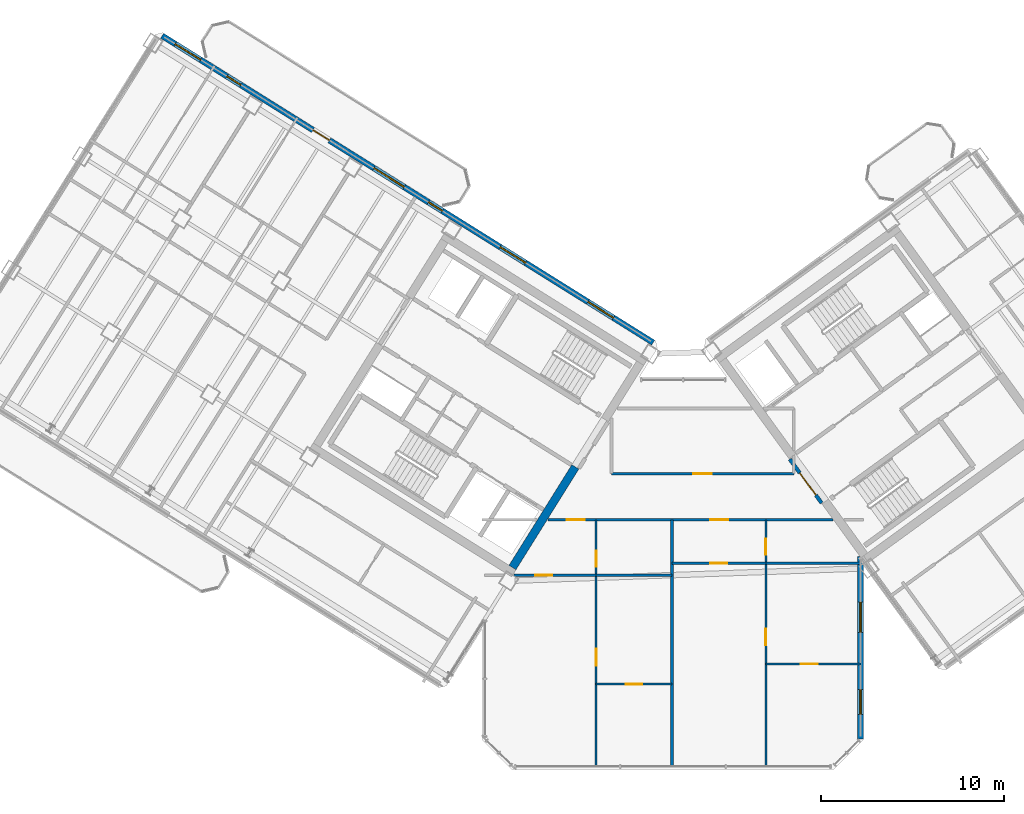
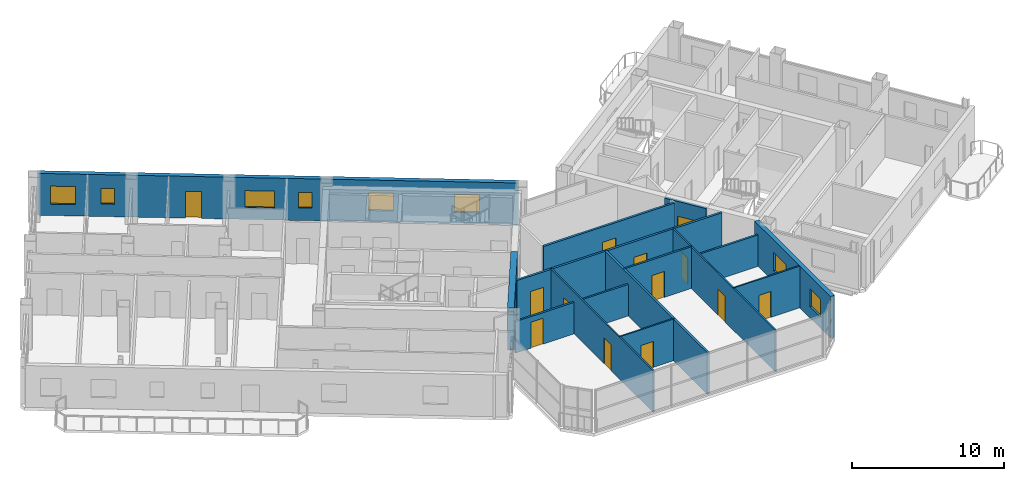
# One storey, part 18 of 29: 15 walls, 13 doors, 8 windows, 21 openings.
"""IFC4 building model written with IfcOpenShell, lengths in metres."""

from ifc_helpers import new_model, si_unit, direction, frame, frame_2d, origin, place, context, subcontext, project, spatial, rectangle, extrude, source, transform, mapped, material, layer, layer_set, type_object, element, fill, save


model = new_model("IFC4")

# Units and contexts
model_context = context("Model", 3, precision=1e-05, world=origin(), true_north=direction((0.0, 1.0)))
body_context = subcontext(model_context, "Body", "Model", "MODEL_VIEW")
ifc_project = project(units=[si_unit("LENGTHUNIT", "METRE"), si_unit("AREAUNIT", "SQUARE_METRE"), si_unit("VOLUMEUNIT", "CUBIC_METRE"), si_unit("PLANEANGLEUNIT", "RADIAN"), si_unit("MASSUNIT", "GRAM", prefix="KILO")], contexts=[model_context])

# Site, building, storey
site_placement = place(None, origin())
site = spatial("IfcSite", under=ifc_project, at=site_placement, CompositionType="ELEMENT")
building_placement = place(site_placement, origin())
building = spatial("IfcBuilding", under=site, at=building_placement, Name="Tlacorven Tower", CompositionType="ELEMENT")
storey_placement = place(building_placement, frame((0.0, 0.0, 238.5)))
storey = spatial("IfcBuildingStorey", under=building, at=storey_placement, Name="L60", CompositionType="ELEMENT", Elevation=238.5)

# Wall
ifc_material_1 = material(Name="Concrete C50/60", Category="concrete")
ifc_layer_1 = layer(ifc_material_1, 0.449951171875)
ifc_layer_set_1 = layer_set([ifc_layer_1], Name="Concrete C50/60")
wall_type_1 = type_object("IfcWallType", Name="WL-COR-450", PredefinedType="SHEAR", material=ifc_layer_set_1)
wall_1_placement = place(storey_placement, frame((36.683349609375, 18.30419921875, 0.0), z_axis=(0.0, 0.0, 1.0), x_axis=(-0.529904039071, -0.848057609704, 0.0)))
element("IfcWall", 1, at=wall_1_placement, inside=storey, type_object=wall_type_1, Name="L60 W core end wall E1.2", PredefinedType="SHEAR", context=body_context, shape_type="SweptSolid", body=[
    extrude(rectangle(XDim=6.47509765625, YDim=0.449951171875, at=frame_2d((3.237548828125, 0.0))), origin(), (0.0, 0.0, 1.0), 3.35009765625),
])

# Wall, openings, doors
ifc_material_2 = material(Name="Gypsum plasterboard acoustic partition", Category="gypsum")
ifc_layer_2 = layer(ifc_material_2, 0.159912109375)
ifc_layer_set_2 = layer_set([ifc_layer_2], Name="Gypsum plasterboard acoustic partition")
wall_type_2 = type_object("IfcWallType", Name="WL-DEM-160", PredefinedType="PARTITIONING", material=ifc_layer_set_2)
wall_2_placement = place(storey_placement, frame((35.178466796875, 15.419921875, 0.0), z_axis=(0.0, 0.0, 1.0), x_axis=(1.0, 0.0, 0.0)))
wall_2 = element("IfcWall", 2, at=wall_2_placement, inside=storey, type_object=wall_type_2, Name="L60 Knuckle Corridor South Wall", PredefinedType="PARTITIONING", context=body_context, shape_type="SweptSolid", body=[
    extrude(rectangle(XDim=15.55224609375, YDim=0.159912109375, at=frame_2d((7.776123046875, 0.0))), origin(), (0.0, 0.0, 1.0), 3.340087890625),
])
opening_1_placement = place(wall_2_placement, frame((1.028076171875, 0.0, 0.0)))
opening_1 = element("IfcOpeningElement", 3, at=opening_1_placement, cuts=wall_2, Name="Opening D11", PredefinedType="OPENING", context=body_context, shape_type="SweptSolid", body=[
    extrude(rectangle(XDim=1.0, YDim=2.10009765625, at=frame_2d((0.5, 1.050048828125))), frame((0.0, 0.08984375, 0.0), z_axis=(0.0, -1.0, 0.0), x_axis=(1.0, 0.0, 0.0)), (0.0, 0.0, 1.0), 0.179931640625),
])
opening_2_placement = place(wall_2_placement, frame((8.857666015625, 0.0, 0.0)))
opening_2 = element("IfcOpeningElement", 4, at=opening_2_placement, cuts=wall_2, Name="Opening D11", PredefinedType="OPENING", context=body_context, shape_type="SweptSolid", body=[
    extrude(rectangle(XDim=1.0, YDim=2.10009765625, at=frame_2d((0.5, 1.050048828125))), frame((0.0, 0.08984375, 0.0), z_axis=(0.0, -1.0, 0.0), x_axis=(1.0, 0.0, 0.0)), (0.0, 0.0, 1.0), 0.179931640625),
])
ifc_material_3 = material(Name="Fire-rated steel door assembly", Category="steel")
door_type_1 = type_object("IfcDoorType", Name="DR-FLT-FD60-1000", OperationType="NOTDEFINED", PredefinedType="DOOR", material=ifc_material_3)
shared_shape_1 = source(origin(), body_context, "Body", "SweptSolid", [
    extrude(rectangle(XDim=1.0, YDim=2.10009765625, at=frame_2d((0.5, 1.050048828125))), frame((0.0, 0.02490234375, 0.0), z_axis=(0.0, -1.0, 0.0), x_axis=(1.0, 0.0, 0.0)), (0.0, 0.0, 1.0), 0.050048828125),
])
door_1_placement = place(opening_1_placement, frame((1.0, 0.0, 0.0), z_axis=(0.0, 0.0, 1.0), x_axis=(-1.0, 0.0, 0.0)))
door_1 = element("IfcDoor", 5, at=door_1_placement, inside=storey, type_object=door_type_1, Name="L60 door 047", OperationType="SINGLE_SWING_RIGHT", OverallHeight=2.10009765625, OverallWidth=1.0, PredefinedType="DOOR", context=body_context, shape_type="MappedRepresentation", body=[
    mapped(shared_shape_1, transform((0.0, 0.0, 0.0), scale=1.0)),
])
fill(opening_1, door_1)
door_2_placement = place(opening_2_placement, frame((1.0, 0.0, 0.0), z_axis=(0.0, 0.0, 1.0), x_axis=(-1.0, 0.0, 0.0)))
door_2 = element("IfcDoor", 6, at=door_2_placement, inside=storey, type_object=door_type_1, Name="L60 door 052", OperationType="SINGLE_SWING_LEFT", OverallHeight=2.10009765625, OverallWidth=1.0, PredefinedType="DOOR", context=body_context, shape_type="MappedRepresentation", body=[
    mapped(shared_shape_1, transform((0.0, 0.0, 0.0), scale=1.0)),
])
fill(opening_2, door_2)

# Wall, opening, door
wall_3_placement = place(storey_placement, frame((38.64990234375, 17.929931640625, 0.0), z_axis=(0.0, 0.0, 1.0), x_axis=(1.0, 0.0, 0.0)))
wall_3 = element("IfcWall", 7, at=wall_3_placement, inside=storey, type_object=wall_type_2, Name="L60 partition 65", PredefinedType="PARTITIONING", context=body_context, shape_type="SweptSolid", body=[
    extrude(rectangle(XDim=9.9501953125, YDim=0.159912109375, at=frame_2d((4.97509765625, 0.0))), origin(), (0.0, 0.0, 1.0), 3.340087890625),
])
opening_3_placement = place(wall_3_placement, frame((4.47509765625, 0.0, 0.0)))
opening_3 = element("IfcOpeningElement", 8, at=opening_3_placement, cuts=wall_3, Name="Opening D11", PredefinedType="OPENING", context=body_context, shape_type="SweptSolid", body=[
    extrude(rectangle(XDim=1.0, YDim=2.10009765625, at=frame_2d((0.5, 1.050048828125))), frame((0.0, 0.08984375, 0.0), z_axis=(0.0, -1.0, 0.0), x_axis=(1.0, 0.0, 0.0)), (0.0, 0.0, 1.0), 0.179931640625),
])
door_3_placement = place(opening_3_placement, origin())
door_3 = element("IfcDoor", 9, at=door_3_placement, inside=storey, type_object=door_type_1, Name="L60 door 042", OperationType="SINGLE_SWING_LEFT", OverallHeight=2.10009765625, OverallWidth=1.0, PredefinedType="DOOR", context=body_context, shape_type="MappedRepresentation", body=[
    mapped(shared_shape_1, transform((0.0, 0.0, 0.0), scale=1.0)),
])
fill(opening_3, door_3)

# Wall
wall_4_placement = place(storey_placement, frame((41.949951171875, 1.9599609375, 0.0), z_axis=(0.0, 0.0, 1.0), x_axis=(0.0, 1.0, 0.0)))
element("IfcWall", 10, at=wall_4_placement, inside=storey, type_object=wall_type_2, Name="L60 Knuckle Demising Wall 1", PredefinedType="PARTITIONING", context=body_context, shape_type="SweptSolid", body=[
    extrude(rectangle(XDim=13.4599609375, YDim=0.159912109375, at=frame_2d((6.72998046875, 0.0))), origin(), (0.0, 0.0, 1.0), 3.340087890625),
])

# Wall, openings, door, windows
ifc_material_4 = material(Name="Precast concrete C45/55", Category="concrete")
ifc_layer_3 = layer(ifc_material_4, 0.320068359375)
ifc_layer_set_3 = layer_set([ifc_layer_3], Name="Precast concrete C45/55")
wall_type_3 = type_object("IfcWallType", Name="WL-EXT-320", PredefinedType="STANDARD", material=ifc_layer_set_3)
wall_5_placement = place(storey_placement, frame((14.13818359375, 41.825439453125, 0.0), z_axis=(0.0, 0.0, 1.0), x_axis=(0.848046498049, -0.529921821731, 0.0)))
wall_5 = element("IfcWall", 11, at=wall_5_placement, inside=storey, type_object=wall_type_3, Name="L60 Masonry-Frame Recessed Facade Wall 3", PredefinedType="STANDARD", context=body_context, shape_type="SweptSolid", body=[
    extrude(rectangle(XDim=31.587646484375, YDim=0.320068359375, at=frame_2d((15.7939453125, 0.0))), origin(), (0.0, 0.0, 1.0), 3.35009765625),
])
opening_4_placement = place(wall_5_placement, frame((9.711669921875, 0.0, 0.0)))
opening_4 = element("IfcOpeningElement", 12, at=opening_4_placement, cuts=wall_5, Name="Opening D06", PredefinedType="OPENING", context=body_context, shape_type="SweptSolid", body=[
    extrude(rectangle(XDim=1.050048828125, YDim=2.14990234375, at=frame_2d((0.52490234375, 1.074951171875))), frame((0.0, 0.169921875, 0.0), z_axis=(0.0, -1.0, 0.0), x_axis=(1.0, 0.0, 0.0)), (0.0, 0.0, 1.0), 0.340087890625),
])
opening_5_placement = place(wall_5_placement, frame((0.84130859375, 0.0, 0.89990234375)))
opening_5 = element("IfcOpeningElement", 13, at=opening_5_placement, cuts=wall_5, Name="Opening WN07", PredefinedType="OPENING", context=body_context, shape_type="SweptSolid", body=[
    extrude(rectangle(XDim=1.64990234375, YDim=1.449951171875, at=frame_2d((0.824951171875, 0.72509765625))), frame((0.0, 0.169921875, 0.0), z_axis=(0.0, -1.0, 0.0), x_axis=(1.0, 0.0, 0.0)), (0.0, 0.0, 1.0), 0.340087890625),
])
opening_6_placement = place(wall_5_placement, frame((4.171142578125, 0.0, 1.0)))
opening_6 = element("IfcOpeningElement", 14, at=opening_6_placement, cuts=wall_5, Name="Opening WN05", PredefinedType="OPENING", context=body_context, shape_type="SweptSolid", body=[
    extrude(rectangle(XDim=0.89990234375, YDim=1.25, at=frame_2d((0.449951171875, 0.625))), frame((0.0, 0.169921875, 0.0), z_axis=(0.0, -1.0, 0.0), x_axis=(1.0, 0.0, 0.0)), (0.0, 0.0, 1.0), 0.340087890625),
])
opening_7_placement = place(wall_5_placement, frame((13.623779296875, 0.0, 0.949951171875)))
opening_7 = element("IfcOpeningElement", 15, at=opening_7_placement, cuts=wall_5, Name="Opening WN09", PredefinedType="OPENING", context=body_context, shape_type="SweptSolid", body=[
    extrude(rectangle(XDim=1.949951171875, YDim=1.35009765625, at=frame_2d((0.97509765625, 0.675048828125))), frame((0.0, 0.169921875, 0.0), z_axis=(0.0, -1.0, 0.0), x_axis=(1.0, 0.0, 0.0)), (0.0, 0.0, 1.0), 0.340087890625),
])
opening_8_placement = place(wall_5_placement, frame((17.128662109375, 0.0, 1.0)))
opening_8 = element("IfcOpeningElement", 16, at=opening_8_placement, cuts=wall_5, Name="Opening WN05", PredefinedType="OPENING", context=body_context, shape_type="SweptSolid", body=[
    extrude(rectangle(XDim=0.89990234375, YDim=1.25, at=frame_2d((0.449951171875, 0.625))), frame((0.0, 0.169921875, 0.0), z_axis=(0.0, -1.0, 0.0), x_axis=(1.0, 0.0, 0.0)), (0.0, 0.0, 1.0), 0.340087890625),
])
opening_9_placement = place(wall_5_placement, frame((21.74365234375, 0.0, 0.89990234375)))
opening_9 = element("IfcOpeningElement", 17, at=opening_9_placement, cuts=wall_5, Name="Opening WN07", PredefinedType="OPENING", context=body_context, shape_type="SweptSolid", body=[
    extrude(rectangle(XDim=1.64990234375, YDim=1.449951171875, at=frame_2d((0.824951171875, 0.72509765625))), frame((0.0, 0.169921875, 0.0), z_axis=(0.0, -1.0, 0.0), x_axis=(1.0, 0.0, 0.0)), (0.0, 0.0, 1.0), 0.340087890625),
])
opening_10_placement = place(wall_5_placement, frame((27.393798828125, 0.0, 0.89990234375)))
opening_10 = element("IfcOpeningElement", 18, at=opening_10_placement, cuts=wall_5, Name="Opening WN07", PredefinedType="OPENING", context=body_context, shape_type="SweptSolid", body=[
    extrude(rectangle(XDim=1.64990234375, YDim=1.449951171875, at=frame_2d((0.824951171875, 0.72509765625))), frame((0.0, 0.169921875, 0.0), z_axis=(0.0, -1.0, 0.0), x_axis=(1.0, 0.0, 0.0)), (0.0, 0.0, 1.0), 0.340087890625),
])
ifc_material_5 = material(Name="Powder-coated aluminium and timber door", Category="wood")
door_type_2 = type_object("IfcDoorType", Name="DR-EXT-BALC-1050", OperationType="NOTDEFINED", PredefinedType="DOOR", material=ifc_material_5)
shared_shape_2 = source(origin(), body_context, "Body", "SweptSolid", [
    extrude(rectangle(XDim=1.050048828125, YDim=2.14990234375, at=frame_2d((0.52490234375, 1.074951171875))), frame((0.0, 0.02490234375, 0.0), z_axis=(0.0, -1.0, 0.0), x_axis=(1.0, 0.0, 0.0)), (0.0, 0.0, 1.0), 0.050048828125),
])
door_4_placement = place(opening_4_placement, origin())
door_4 = element("IfcDoor", 19, at=door_4_placement, inside=storey, type_object=door_type_2, Name="L60 Outdoor Access Door BAL-L60-W-IN", OperationType="SINGLE_SWING_RIGHT", OverallHeight=2.14990234375, OverallWidth=1.050048828125, PredefinedType="DOOR", context=body_context, shape_type="MappedRepresentation", body=[
    mapped(shared_shape_2, transform((0.0, 0.0, 0.0), scale=1.0)),
])
fill(opening_4, door_4)
ifc_material_6 = material(Name="Dark solar low-E double glazing in anodised aluminium frame", Category="aluminium")
window_type_1 = type_object("IfcWindowType", Name="WN-APT-0900X1350", PartitioningType="SINGLE_PANEL", PredefinedType="WINDOW", material=ifc_material_6)
shared_shape_3 = source(origin(), body_context, "Body", "SweptSolid", [
    extrude(rectangle(XDim=0.89990234375, YDim=1.25, at=frame_2d((0.449951171875, 0.625))), frame((0.0, 0.030029296875, 0.0), z_axis=(0.0, -1.0, 0.0), x_axis=(1.0, 0.0, 0.0)), (0.0, 0.0, 1.0), 0.06005859375),
])
window_1_placement = place(opening_6_placement, origin())
window_1 = element("IfcWindow", 20, at=window_1_placement, inside=storey, type_object=window_type_1, Name="L60 Recessed Masonry-Frame Window L60-03.2", OverallHeight=1.25, OverallWidth=0.89990234375, PartitioningType="SINGLE_PANEL", PredefinedType="WINDOW", context=body_context, shape_type="MappedRepresentation", body=[
    mapped(shared_shape_3, transform((0.0, 0.0, 0.0), scale=1.0)),
])
fill(opening_6, window_1)
window_2_placement = place(opening_8_placement, origin())
window_2 = element("IfcWindow", 21, at=window_2_placement, inside=storey, type_object=window_type_1, Name="L60 Recessed Masonry-Frame Window L60-03.4", OverallHeight=1.25, OverallWidth=0.89990234375, PartitioningType="SINGLE_PANEL", PredefinedType="WINDOW", context=body_context, shape_type="MappedRepresentation", body=[
    mapped(shared_shape_3, transform((0.0, 0.0, 0.0), scale=1.0)),
])
fill(opening_8, window_2)
window_type_2 = type_object("IfcWindowType", Name="WN-APT-1650X1600", PartitioningType="SINGLE_PANEL", PredefinedType="WINDOW", material=ifc_material_6)
shared_shape_4 = source(origin(), body_context, "Body", "SweptSolid", [
    extrude(rectangle(XDim=1.64990234375, YDim=1.449951171875, at=frame_2d((0.824951171875, 0.72509765625))), frame((0.0, 0.030029296875, 0.0), z_axis=(0.0, -1.0, 0.0), x_axis=(1.0, 0.0, 0.0)), (0.0, 0.0, 1.0), 0.06005859375),
])
window_3_placement = place(opening_5_placement, origin())
window_3 = element("IfcWindow", 22, at=window_3_placement, inside=storey, type_object=window_type_2, Name="L60 Recessed Masonry-Frame Window L60-03.1", OverallHeight=1.449951171875, OverallWidth=1.64990234375, PartitioningType="SINGLE_PANEL", PredefinedType="WINDOW", context=body_context, shape_type="MappedRepresentation", body=[
    mapped(shared_shape_4, transform((0.0, 0.0, 0.0), scale=1.0)),
])
fill(opening_5, window_3)
window_4_placement = place(opening_9_placement, origin())
window_4 = element("IfcWindow", 23, at=window_4_placement, inside=storey, type_object=window_type_2, Name="L60 Recessed Masonry-Frame Window L60-03.5", OverallHeight=1.449951171875, OverallWidth=1.64990234375, PartitioningType="SINGLE_PANEL", PredefinedType="WINDOW", context=body_context, shape_type="MappedRepresentation", body=[
    mapped(shared_shape_4, transform((0.0, 0.0, 0.0), scale=1.0)),
])
fill(opening_9, window_4)
window_5_placement = place(opening_10_placement, origin())
window_5 = element("IfcWindow", 24, at=window_5_placement, inside=storey, type_object=window_type_2, Name="L60 Recessed Masonry-Frame Window L60-03.6", OverallHeight=1.449951171875, OverallWidth=1.64990234375, PartitioningType="SINGLE_PANEL", PredefinedType="WINDOW", context=body_context, shape_type="MappedRepresentation", body=[
    mapped(shared_shape_4, transform((0.0, 0.0, 0.0), scale=1.0)),
])
fill(opening_10, window_5)
window_type_3 = type_object("IfcWindowType", Name="WN-GAL-1950X1450", PartitioningType="SINGLE_PANEL", PredefinedType="WINDOW", material=ifc_material_6)
shared_shape_5 = source(origin(), body_context, "Body", "SweptSolid", [
    extrude(rectangle(XDim=1.949951171875, YDim=1.35009765625, at=frame_2d((0.97509765625, 0.675048828125))), frame((0.0, 0.030029296875, 0.0), z_axis=(0.0, -1.0, 0.0), x_axis=(1.0, 0.0, 0.0)), (0.0, 0.0, 1.0), 0.06005859375),
])
window_6_placement = place(opening_7_placement, origin())
window_6 = element("IfcWindow", 25, at=window_6_placement, inside=storey, type_object=window_type_3, Name="L60 Recessed Masonry-Frame Window L60-03.3", OverallHeight=1.35009765625, OverallWidth=1.949951171875, PartitioningType="SINGLE_PANEL", PredefinedType="WINDOW", context=body_context, shape_type="MappedRepresentation", body=[
    mapped(shared_shape_5, transform((0.0, 0.0, 0.0), scale=1.0)),
])
fill(opening_7, window_6)

# Wall, openings, windows
wall_6_placement = place(storey_placement, frame((52.239990234375, 13.4140625, 0.0), z_axis=(0.0, 0.0, 1.0), x_axis=(0.0, -1.0, 0.0)))
wall_6 = element("IfcWall", 26, at=wall_6_placement, inside=storey, type_object=wall_type_3, Name="L60 Masonry-Frame Recessed Facade Wall 8", PredefinedType="STANDARD", context=body_context, shape_type="SweptSolid", body=[
    extrude(rectangle(XDim=9.94775390625, YDim=0.320068359375, at=frame_2d((4.973876953125, 0.0))), origin(), (0.0, 0.0, 1.0), 3.35009765625),
])
opening_11_placement = place(wall_6_placement, frame((2.492431640625, 0.0, 0.89990234375)))
opening_11 = element("IfcOpeningElement", 27, at=opening_11_placement, cuts=wall_6, Name="Opening WN07", PredefinedType="OPENING", context=body_context, shape_type="SweptSolid", body=[
    extrude(rectangle(XDim=1.64990234375, YDim=1.449951171875, at=frame_2d((0.824951171875, 0.72509765625))), frame((0.0, 0.169921875, 0.0), z_axis=(0.0, -1.0, 0.0), x_axis=(1.0, 0.0, 0.0)), (0.0, 0.0, 1.0), 0.340087890625),
])
opening_12_placement = place(wall_6_placement, frame((7.25830078125, 0.0, 0.89990234375)))
opening_12 = element("IfcOpeningElement", 28, at=opening_12_placement, cuts=wall_6, Name="Opening WN08", PredefinedType="OPENING", context=body_context, shape_type="SweptSolid", body=[
    extrude(rectangle(XDim=1.35009765625, YDim=1.449951171875, at=frame_2d((0.675048828125, 0.72509765625))), frame((0.0, 0.169921875, 0.0), z_axis=(0.0, -1.0, 0.0), x_axis=(1.0, 0.0, 0.0)), (0.0, 0.0, 1.0), 0.340087890625),
])
window_7_placement = place(opening_11_placement, origin())
window_7 = element("IfcWindow", 29, at=window_7_placement, inside=storey, type_object=window_type_2, Name="L60 Recessed Masonry-Frame Window L60-08.1", OverallHeight=1.449951171875, OverallWidth=1.64990234375, PartitioningType="SINGLE_PANEL", PredefinedType="WINDOW", context=body_context, shape_type="MappedRepresentation", body=[
    mapped(shared_shape_4, transform((0.0, 0.0, 0.0), scale=1.0)),
])
fill(opening_11, window_7)
window_type_4 = type_object("IfcWindowType", Name="WN-APT-1350X1550", PartitioningType="SINGLE_PANEL", PredefinedType="WINDOW", material=ifc_material_6)
shared_shape_6 = source(origin(), body_context, "Body", "SweptSolid", [
    extrude(rectangle(XDim=1.35009765625, YDim=1.449951171875, at=frame_2d((0.675048828125, 0.72509765625))), frame((0.0, 0.030029296875, 0.0), z_axis=(0.0, -1.0, 0.0), x_axis=(1.0, 0.0, 0.0)), (0.0, 0.0, 1.0), 0.06005859375),
])
window_8_placement = place(opening_12_placement, origin())
window_8 = element("IfcWindow", 30, at=window_8_placement, inside=storey, type_object=window_type_4, Name="L60 Recessed Masonry-Frame Window L60-08.2", OverallHeight=1.449951171875, OverallWidth=1.35009765625, PartitioningType="SINGLE_PANEL", PredefinedType="WINDOW", context=body_context, shape_type="MappedRepresentation", body=[
    mapped(shared_shape_6, transform((0.0, 0.0, 0.0), scale=1.0)),
])
fill(opening_12, window_8)

# Wall, openings, doors
ifc_material_7 = material(Name="Gypsum plasterboard partition", Category="gypsum")
ifc_layer_4 = layer(ifc_material_7, 0.110107421875)
ifc_layer_set_4 = layer_set([ifc_layer_4], Name="Gypsum plasterboard partition")
wall_type_4 = type_object("IfcWallType", Name="WL-INT-110", PredefinedType="PARTITIONING", material=ifc_layer_set_4)
wall_7_placement = place(storey_placement, frame((37.81298828125, 1.9599609375, 0.0), z_axis=(0.0, 0.0, 1.0), x_axis=(0.0, 1.0, 0.0)))
wall_7 = element("IfcWall", 31, at=wall_7_placement, inside=storey, type_object=wall_type_4, Name="L60 partition 71", PredefinedType="PARTITIONING", context=body_context, shape_type="SweptSolid", body=[
    extrude(rectangle(XDim=13.4599609375, YDim=0.110107421875, at=frame_2d((6.72998046875, 0.0))), origin(), (0.0, 0.0, 1.0), 3.340087890625),
])
opening_13_placement = place(wall_7_placement, frame((5.5, 0.0, 0.0)))
opening_13 = element("IfcOpeningElement", 32, at=opening_13_placement, cuts=wall_7, Name="Opening D12", PredefinedType="OPENING", context=body_context, shape_type="SweptSolid", body=[
    extrude(rectangle(XDim=0.919921875, YDim=2.080078125, at=frame_2d((0.4599609375, 1.0400390625))), frame((0.0, 0.06494140625, 0.0), z_axis=(0.0, -1.0, 0.0), x_axis=(1.0, 0.0, 0.0)), (0.0, 0.0, 1.0), 0.130126953125),
])
opening_14_placement = place(wall_7_placement, frame((10.889892578125, 0.0, 0.0)))
opening_14 = element("IfcOpeningElement", 33, at=opening_14_placement, cuts=wall_7, Name="Opening D13", PredefinedType="OPENING", context=body_context, shape_type="SweptSolid", body=[
    extrude(rectangle(XDim=0.8798828125, YDim=2.080078125, at=frame_2d((0.43994140625, 1.0400390625))), frame((0.0, 0.06494140625, 0.0), z_axis=(0.0, -1.0, 0.0), x_axis=(1.0, 0.0, 0.0)), (0.0, 0.0, 1.0), 0.130126953125),
])
door_type_3 = type_object("IfcDoorType", Name="DR-INT-WET-0880", OperationType="NOTDEFINED", PredefinedType="DOOR", material=ifc_material_5)
shared_shape_7 = source(origin(), body_context, "Body", "SweptSolid", [
    extrude(rectangle(XDim=0.8798828125, YDim=2.080078125, at=frame_2d((0.43994140625, 1.0400390625))), frame((0.0, 0.02490234375, 0.0), z_axis=(0.0, -1.0, 0.0), x_axis=(1.0, 0.0, 0.0)), (0.0, 0.0, 1.0), 0.050048828125),
])
door_5_placement = place(opening_14_placement, origin())
door_5 = element("IfcDoor", 34, at=door_5_placement, inside=storey, type_object=door_type_3, Name="L60 door 049", OperationType="SINGLE_SWING_RIGHT", OverallHeight=2.080078125, OverallWidth=0.8798828125, PredefinedType="DOOR", context=body_context, shape_type="MappedRepresentation", body=[
    mapped(shared_shape_7, transform((0.0, 0.0, 0.0), scale=1.0)),
])
fill(opening_14, door_5)
door_type_4 = type_object("IfcDoorType", Name="DR-INT-ROOM-0920", OperationType="NOTDEFINED", PredefinedType="DOOR", material=ifc_material_5)
shared_shape_8 = source(origin(), body_context, "Body", "SweptSolid", [
    extrude(rectangle(XDim=0.919921875, YDim=2.080078125, at=frame_2d((0.4599609375, 1.0400390625))), frame((0.0, 0.02490234375, 0.0), z_axis=(0.0, -1.0, 0.0), x_axis=(1.0, 0.0, 0.0)), (0.0, 0.0, 1.0), 0.050048828125),
])
door_6_placement = place(opening_13_placement, origin())
door_6 = element("IfcDoor", 35, at=door_6_placement, inside=storey, type_object=door_type_4, Name="L60 door 045", OperationType="SINGLE_SWING_RIGHT", OverallHeight=2.080078125, OverallWidth=0.919921875, PredefinedType="DOOR", context=body_context, shape_type="MappedRepresentation", body=[
    mapped(shared_shape_8, transform((0.0, 0.0, 0.0), scale=1.0)),
])
fill(opening_13, door_6)

# Wall, opening, door
wall_8_placement = place(storey_placement, frame((37.81298828125, 6.449951171875, 0.0), z_axis=(0.0, 0.0, 1.0), x_axis=(1.0, 0.0, 0.0)))
wall_8 = element("IfcWall", 36, at=wall_8_placement, inside=storey, type_object=wall_type_4, Name="L60 partition 74", PredefinedType="PARTITIONING", context=body_context, shape_type="SweptSolid", body=[
    extrude(rectangle(XDim=4.136962890625, YDim=0.110107421875, at=frame_2d((2.068359375, 0.0))), origin(), (0.0, 0.0, 1.0), 3.340087890625),
])
opening_15_placement = place(wall_8_placement, frame((1.6083984375, 0.0, 0.0)))
opening_15 = element("IfcOpeningElement", 37, at=opening_15_placement, cuts=wall_8, Name="Opening D12", PredefinedType="OPENING", context=body_context, shape_type="SweptSolid", body=[
    extrude(rectangle(XDim=0.919921875, YDim=2.080078125, at=frame_2d((0.4599609375, 1.0400390625))), frame((0.0, 0.06494140625, 0.0), z_axis=(0.0, -1.0, 0.0), x_axis=(1.0, 0.0, 0.0)), (0.0, 0.0, 1.0), 0.130126953125),
])
door_7_placement = place(opening_15_placement, origin())
door_7 = element("IfcDoor", 38, at=door_7_placement, inside=storey, type_object=door_type_4, Name="L60 door 046", OperationType="SINGLE_SWING_LEFT", OverallHeight=2.080078125, OverallWidth=0.919921875, PredefinedType="DOOR", context=body_context, shape_type="MappedRepresentation", body=[
    mapped(shared_shape_8, transform((0.0, 0.0, 0.0), scale=1.0)),
])
fill(opening_15, door_7)

# Wall, openings, doors
wall_9_placement = place(storey_placement, frame((47.072021484375, 1.9599609375, 0.0), z_axis=(0.0, 0.0, 1.0), x_axis=(0.0, 1.0, 0.0)))
wall_9 = element("IfcWall", 39, at=wall_9_placement, inside=storey, type_object=wall_type_4, Name="L60 partition 75", PredefinedType="PARTITIONING", context=body_context, shape_type="SweptSolid", body=[
    extrude(rectangle(XDim=13.4599609375, YDim=0.110107421875, at=frame_2d((6.72998046875, 0.0))), origin(), (0.0, 0.0, 1.0), 3.340087890625),
])
opening_16_placement = place(wall_9_placement, frame((6.60009765625, 0.0, 0.0)))
opening_16 = element("IfcOpeningElement", 40, at=opening_16_placement, cuts=wall_9, Name="Opening D12", PredefinedType="OPENING", context=body_context, shape_type="SweptSolid", body=[
    extrude(rectangle(XDim=0.919921875, YDim=2.080078125, at=frame_2d((0.4599609375, 1.0400390625))), frame((0.0, 0.06494140625, 0.0), z_axis=(0.0, -1.0, 0.0), x_axis=(1.0, 0.0, 0.0)), (0.0, 0.0, 1.0), 0.130126953125),
])
opening_17_placement = place(wall_9_placement, frame((11.5400390625, 0.0, 0.0)))
opening_17 = element("IfcOpeningElement", 41, at=opening_17_placement, cuts=wall_9, Name="Opening D13", PredefinedType="OPENING", context=body_context, shape_type="SweptSolid", body=[
    extrude(rectangle(XDim=0.8798828125, YDim=2.080078125, at=frame_2d((0.43994140625, 1.0400390625))), frame((0.0, 0.06494140625, 0.0), z_axis=(0.0, -1.0, 0.0), x_axis=(1.0, 0.0, 0.0)), (0.0, 0.0, 1.0), 0.130126953125),
])
door_8_placement = place(opening_17_placement, origin())
door_8 = element("IfcDoor", 42, at=door_8_placement, inside=storey, type_object=door_type_3, Name="L60 door 054", OperationType="SINGLE_SWING_LEFT", OverallHeight=2.080078125, OverallWidth=0.8798828125, PredefinedType="DOOR", context=body_context, shape_type="MappedRepresentation", body=[
    mapped(shared_shape_7, transform((0.0, 0.0, 0.0), scale=1.0)),
])
fill(opening_17, door_8)
door_9_placement = place(opening_16_placement, origin())
door_9 = element("IfcDoor", 43, at=door_9_placement, inside=storey, type_object=door_type_4, Name="L60 door 050", OperationType="SINGLE_SWING_LEFT", OverallHeight=2.080078125, OverallWidth=0.919921875, PredefinedType="DOOR", context=body_context, shape_type="MappedRepresentation", body=[
    mapped(shared_shape_8, transform((0.0, 0.0, 0.0), scale=1.0)),
])
fill(opening_16, door_9)

# Wall, opening, door
wall_10_placement = place(storey_placement, frame((47.072021484375, 7.550048828125, 0.0), z_axis=(0.0, 0.0, 1.0), x_axis=(1.0, 0.0, 0.0)))
wall_10 = element("IfcWall", 44, at=wall_10_placement, inside=storey, type_object=wall_type_4, Name="L60 partition 78", PredefinedType="PARTITIONING", context=body_context, shape_type="SweptSolid", body=[
    extrude(rectangle(XDim=5.18798828125, YDim=0.110107421875, at=frame_2d((2.593994140625, 0.0))), origin(), (0.0, 0.0, 1.0), 3.340087890625),
])
opening_18_placement = place(wall_10_placement, frame((1.904052734375, 0.0, 0.0)))
opening_18 = element("IfcOpeningElement", 45, at=opening_18_placement, cuts=wall_10, Name="Opening D12", PredefinedType="OPENING", context=body_context, shape_type="SweptSolid", body=[
    extrude(rectangle(XDim=0.919921875, YDim=2.080078125, at=frame_2d((0.4599609375, 1.0400390625))), frame((0.0, 0.06494140625, 0.0), z_axis=(0.0, -1.0, 0.0), x_axis=(1.0, 0.0, 0.0)), (0.0, 0.0, 1.0), 0.130126953125),
])
door_10_placement = place(opening_18_placement, origin())
door_10 = element("IfcDoor", 46, at=door_10_placement, inside=storey, type_object=door_type_4, Name="L60 door 051", OperationType="SINGLE_SWING_RIGHT", OverallHeight=2.080078125, OverallWidth=0.919921875, PredefinedType="DOOR", context=body_context, shape_type="MappedRepresentation", body=[
    mapped(shared_shape_8, transform((0.0, 0.0, 0.0), scale=1.0)),
])
fill(opening_18, door_10)

ifc_material_8 = material(Name="Moisture-resistant gypsum plumbing wall", Category="gypsum")
ifc_layer_5 = layer(ifc_material_8, 0.139892578125)
ifc_layer_set_5 = layer_set([ifc_layer_5], Name="Moisture-resistant gypsum plumbing wall")
wall_type_5 = type_object("IfcWallType", Name="WL-PLM-140", PredefinedType="PLUMBINGWALL", material=ifc_layer_set_5)
wall_11_placement = place(storey_placement, frame((33.338623046875, 12.389892578125, 0.0), z_axis=(0.0, 0.0, 1.0), x_axis=(1.0, 0.0, 0.0)))
wall_11 = element("IfcWall", 47, at=wall_11_placement, inside=storey, type_object=wall_type_5, Name="L60 partition 72", PredefinedType="PLUMBINGWALL", context=body_context, shape_type="SweptSolid", body=[
    extrude(rectangle(XDim=4.474365234375, YDim=0.139892578125, at=frame_2d((2.2373046875, 0.0))), origin(), (0.0, 0.0, 1.0), 2.52490234375),
])
opening_19_placement = place(wall_11_placement, frame((1.157958984375, 0.0, 0.0)))
opening_19 = element("IfcOpeningElement", 48, at=opening_19_placement, cuts=wall_11, Name="Opening D12", PredefinedType="OPENING", context=body_context, shape_type="SweptSolid", body=[
    extrude(rectangle(XDim=0.919921875, YDim=2.080078125, at=frame_2d((0.4599609375, 1.0400390625))), frame((0.0, 0.080078125, 0.0), z_axis=(0.0, -1.0, 0.0), x_axis=(1.0, 0.0, 0.0)), (0.0, 0.0, 1.0), 0.159912109375),
])
door_11_placement = place(opening_19_placement, frame((0.919921875, 0.0, 0.0), z_axis=(0.0, 0.0, 1.0), x_axis=(-1.0, 0.0, 0.0)))
door_11 = element("IfcDoor", 49, at=door_11_placement, inside=storey, type_object=door_type_4, Name="L60 door 048", OperationType="SINGLE_SWING_RIGHT", OverallHeight=2.080078125, OverallWidth=0.919921875, PredefinedType="DOOR", context=body_context, shape_type="MappedRepresentation", body=[
    mapped(shared_shape_8, transform((0.0, 0.0, 0.0), scale=1.0)),
])
fill(opening_19, door_11)

# Wall
wall_12_placement = place(storey_placement, frame((37.81298828125, 12.389892578125, 0.0), z_axis=(0.0, 0.0, 1.0), x_axis=(1.0, 0.0, 0.0)))
element("IfcWall", 50, at=wall_12_placement, inside=storey, type_object=wall_type_5, Name="L60 partition 73", PredefinedType="PLUMBINGWALL", context=body_context, shape_type="SweptSolid", body=[
    extrude(rectangle(XDim=4.136962890625, YDim=0.139892578125, at=frame_2d((2.068359375, 0.0))), origin(), (0.0, 0.0, 1.0), 2.52490234375),
])

# Wall, opening, door
wall_13_placement = place(storey_placement, frame((41.949951171875, 13.0400390625, 0.0), z_axis=(0.0, 0.0, 1.0), x_axis=(1.0, 0.0, 0.0)))
wall_13 = element("IfcWall", 51, at=wall_13_placement, inside=storey, type_object=wall_type_5, Name="L60 partition 76", PredefinedType="PLUMBINGWALL", context=body_context, shape_type="SweptSolid", body=[
    extrude(rectangle(XDim=5.1220703125, YDim=0.139892578125, at=frame_2d((2.56103515625, 0.0))), origin(), (0.0, 0.0, 1.0), 3.340087890625),
])
opening_20_placement = place(wall_13_placement, frame((2.10107421875, 0.0, 0.0)))
opening_20 = element("IfcOpeningElement", 52, at=opening_20_placement, cuts=wall_13, Name="Opening D12", PredefinedType="OPENING", context=body_context, shape_type="SweptSolid", body=[
    extrude(rectangle(XDim=0.919921875, YDim=2.080078125, at=frame_2d((0.4599609375, 1.0400390625))), frame((0.0, 0.080078125, 0.0), z_axis=(0.0, -1.0, 0.0), x_axis=(1.0, 0.0, 0.0)), (0.0, 0.0, 1.0), 0.159912109375),
])
door_12_placement = place(opening_20_placement, frame((0.919921875, 0.0, 0.0), z_axis=(0.0, 0.0, 1.0), x_axis=(-1.0, 0.0, 0.0)))
door_12 = element("IfcDoor", 53, at=door_12_placement, inside=storey, type_object=door_type_4, Name="L60 door 053", OperationType="SINGLE_SWING_RIGHT", OverallHeight=2.080078125, OverallWidth=0.919921875, PredefinedType="DOOR", context=body_context, shape_type="MappedRepresentation", body=[
    mapped(shared_shape_8, transform((0.0, 0.0, 0.0), scale=1.0)),
])
fill(opening_20, door_12)

# Wall
wall_14_placement = place(storey_placement, frame((47.072021484375, 13.0400390625, 0.0), z_axis=(0.0, 0.0, 1.0), x_axis=(1.0, 0.0, 0.0)))
element("IfcWall", 54, at=wall_14_placement, inside=storey, type_object=wall_type_5, Name="L60 partition 77", PredefinedType="PLUMBINGWALL", context=body_context, shape_type="SweptSolid", body=[
    extrude(rectangle(XDim=5.18798828125, YDim=0.139892578125, at=frame_2d((2.593994140625, 0.0))), origin(), (0.0, 0.0, 1.0), 2.52490234375),
])

# Wall, opening, door
ifc_material_9 = material(Name="Concrete C40/50", Category="concrete")
ifc_layer_6 = layer(ifc_material_9, 0.199951171875)
ifc_layer_set_6 = layer_set([ifc_layer_6], Name="Concrete C40/50")
wall_type_6 = type_object("IfcWallType", Name="WL-SHF-200", PredefinedType="STANDARD", material=ifc_layer_set_6)
wall_15_placement = place(storey_placement, frame((50.119140625, 16.3330078125, 0.0), z_axis=(0.0, 0.0, 1.0), x_axis=(-0.587749856981, 0.809042709391, 0.0)))
wall_15 = element("IfcWall", 55, at=wall_15_placement, inside=storey, type_object=wall_type_6, Name="L60 partition 69", PredefinedType="STANDARD", context=body_context, shape_type="SweptSolid", body=[
    extrude(rectangle(XDim=2.9599609375, YDim=0.199951171875, at=frame_2d((1.47998046875, 0.0))), origin(), (0.0, 0.0, 1.0), 3.340087890625),
])
opening_21_placement = place(wall_15_placement, frame((0.530029296875, 0.0, 0.0)))
opening_21 = element("IfcOpeningElement", 56, at=opening_21_placement, cuts=wall_15, Name="Opening D10", PredefinedType="OPENING", context=body_context, shape_type="SweptSolid", body=[
    extrude(rectangle(XDim=1.5, YDim=2.14990234375, at=frame_2d((0.75, 1.074951171875))), frame((0.0, 0.10986328125, 0.0), z_axis=(0.0, -1.0, 0.0), x_axis=(1.0, 0.0, 0.0)), (0.0, 0.0, 1.0), 0.219970703125),
])
door_type_5 = type_object("IfcDoorType", Name="DR-LOB-FD60-1500", OperationType="DOUBLE_DOOR_SINGLE_SWING", PredefinedType="DOOR", material=ifc_material_3)
shared_shape_9 = source(origin(), body_context, "Body", "SweptSolid", [
    extrude(rectangle(XDim=1.5, YDim=2.14990234375, at=frame_2d((0.75, 1.074951171875))), frame((0.0, 0.02490234375, 0.0), z_axis=(0.0, -1.0, 0.0), x_axis=(1.0, 0.0, 0.0)), (0.0, 0.0, 1.0), 0.050048828125),
])
door_13_placement = place(opening_21_placement, frame((1.5, 0.0, 0.0), z_axis=(0.0, 0.0, 1.0), x_axis=(-1.0, 0.0, 0.0)))
door_13 = element("IfcDoor", 57, at=door_13_placement, inside=storey, type_object=door_type_5, Name="L60 door 044", OperationType="DOUBLE_DOOR_SINGLE_SWING", OverallHeight=2.14990234375, OverallWidth=1.5, PredefinedType="DOOR", context=body_context, shape_type="MappedRepresentation", body=[
    mapped(shared_shape_9, transform((0.0, 0.0, 0.0), scale=1.0)),
])
fill(opening_21, door_13)

save(model, "model.ifc")
